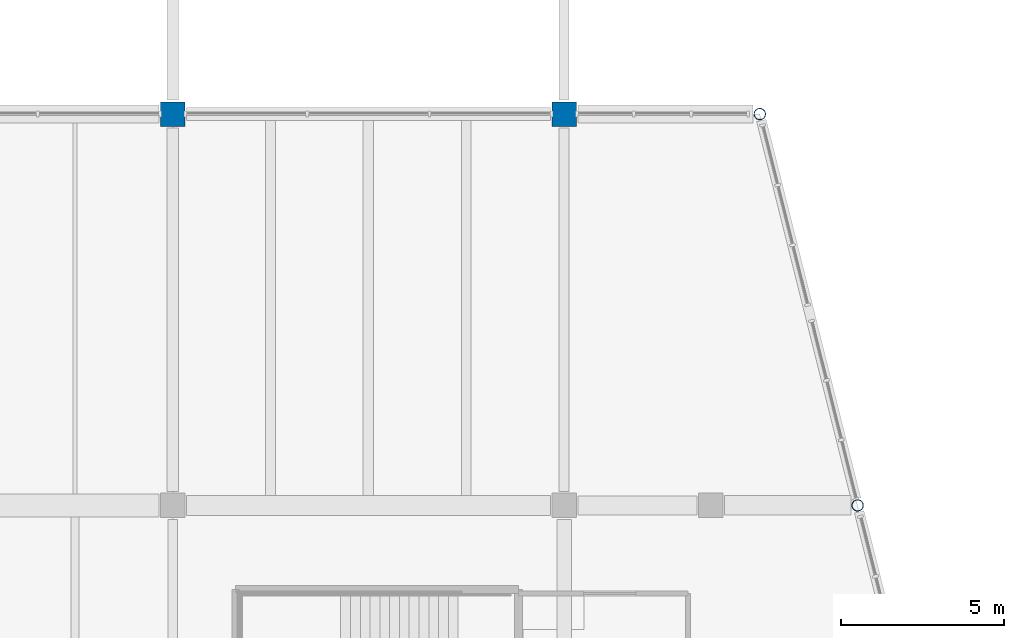
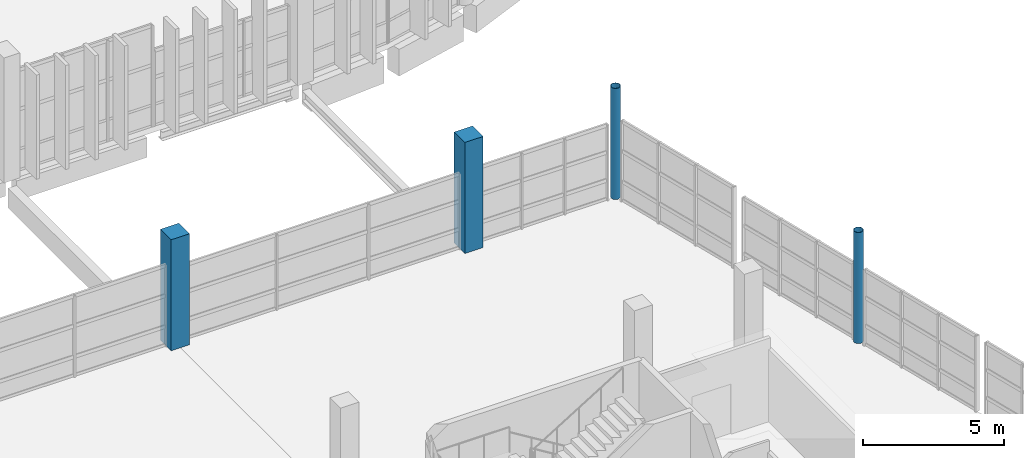
# One storey, part 13 of 112: 4 columns.
"""IFC4 building model written with IfcOpenShell, lengths in metres."""

from ifc_helpers import new_model, si_unit, direction, frame, origin, origin_2d, place, context, subcontext, project, spatial, rectangle, hollow_circle, extrude, material, material_profile, profile_set, type_object, element, save


model = new_model("IFC4")

# Units and contexts
model_context = context("Model", 3, precision=1e-05, world=origin(), true_north=direction((0.0, 1.0)))
body_context = subcontext(model_context, "Body", "Model", "MODEL_VIEW")
ifc_project = project(units=[si_unit("LENGTHUNIT", "METRE"), si_unit("AREAUNIT", "SQUARE_METRE"), si_unit("VOLUMEUNIT", "CUBIC_METRE"), si_unit("PLANEANGLEUNIT", "RADIAN"), si_unit("MASSUNIT", "GRAM", prefix="KILO")], contexts=[model_context])

# Site, building, storey
site_placement = place(None, origin())
site = spatial("IfcSite", under=ifc_project, at=site_placement, CompositionType="ELEMENT")
building_placement = place(site_placement, origin())
building = spatial("IfcBuilding", under=site, at=building_placement, Name="Kamomehara Wholesale Market", CompositionType="ELEMENT")
storey_placement = place(building_placement, frame((0.0, 0.0, 6.60009765625)))
storey = spatial("IfcBuildingStorey", under=building, at=storey_placement, Name="L01", CompositionType="ELEMENT", Elevation=6.60009765625)

# Columns
ifc_material_1 = material(Name="Precast concrete Fc45 (C40/50)", Category="concrete")
ifc_material_profile_1 = material_profile(ifc_material_1, rectangle(XDim=0.75, YDim=0.75, at=origin_2d()), Name="PC-COL-750x750")
ifc_profile_set_1 = profile_set([ifc_material_profile_1], Name="Precast concrete Fc45 (C40/50)")
column_type_1 = type_object("IfcColumnType", Name="COL-PC750-EXT", PredefinedType="COLUMN", material=ifc_profile_set_1)
for number, where, z_axis, x_axis, name in (
    (1, (168.0, 96.0, 0.0), (0.0, 0.0, 1.0), (1.0, 0.0, 0.0), "Column C-04E L01"),
    (2, (180.0, 96.0, 0.0), (0.0, 0.0, 1.0), (1.0, 0.0, 0.0), "Column C-04E L01"),
):
    element("IfcColumn", number, at=place(storey_placement, frame(where, z_axis=z_axis, x_axis=x_axis)), inside=storey, type_object=column_type_1, Name=name, PredefinedType="COLUMN", context=body_context, shape_type="SweptSolid", body=[
        extrude(rectangle(XDim=0.75, YDim=0.75, at=origin_2d()), origin(), (0.0, 0.0, 1.0), 4.7998046875),
    ])
ifc_material_2 = material(Name="Steel SN490B", Category="steel")
ifc_material_profile_2 = material_profile(ifc_material_2, hollow_circle(Radius=0.177734375, WallThickness=0.0126953125, at=origin_2d()), Name="CHS-355.6x12.7")
ifc_profile_set_2 = profile_set([ifc_material_profile_2], Name="Steel SN490B")
column_type_2 = type_object("IfcColumnType", Name="COL-ST-CHS355", PredefinedType="COLUMN", material=ifc_profile_set_2)
column_1_placement = place(storey_placement, frame((189.0, 84.0, 0.0), z_axis=(0.0, 0.0, 1.0), x_axis=(1.0, 0.0, 0.0)))
element("IfcColumn", 3, at=column_1_placement, inside=storey, type_object=column_type_2, Name="Column CS-09 L01", PredefinedType="COLUMN", context=body_context, shape_type="SweptSolid", body=[
    extrude(hollow_circle(Radius=0.177734375, WallThickness=0.0126953125, at=origin_2d()), origin(), (0.0, 0.0, 1.0), 4.7998046875),
])
ifc_material_3 = material(Name="Steel SN490B", Category="steel")
ifc_material_profile_3 = material_profile(ifc_material_3, hollow_circle(Radius=0.177734375, WallThickness=0.0126953125, at=origin_2d()), Name="CHS-355.6x12.7")
ifc_profile_set_3 = profile_set([ifc_material_profile_3], Name="Steel SN490B")
column_type_3 = type_object("IfcColumnType", Name="COL-ST-CHS355-EXT", PredefinedType="COLUMN", material=ifc_profile_set_3)
column_2_placement = place(storey_placement, frame((186.0, 96.0, 0.0), z_axis=(0.0, 0.0, 1.0), x_axis=(1.0, 0.0, 0.0)))
element("IfcColumn", 4, at=column_2_placement, inside=storey, type_object=column_type_3, Name="Column CS-09E L01", PredefinedType="COLUMN", context=body_context, shape_type="SweptSolid", body=[
    extrude(hollow_circle(Radius=0.177734375, WallThickness=0.0126953125, at=origin_2d()), origin(), (0.0, 0.0, 1.0), 4.7998046875),
])

save(model, "model.ifc")
